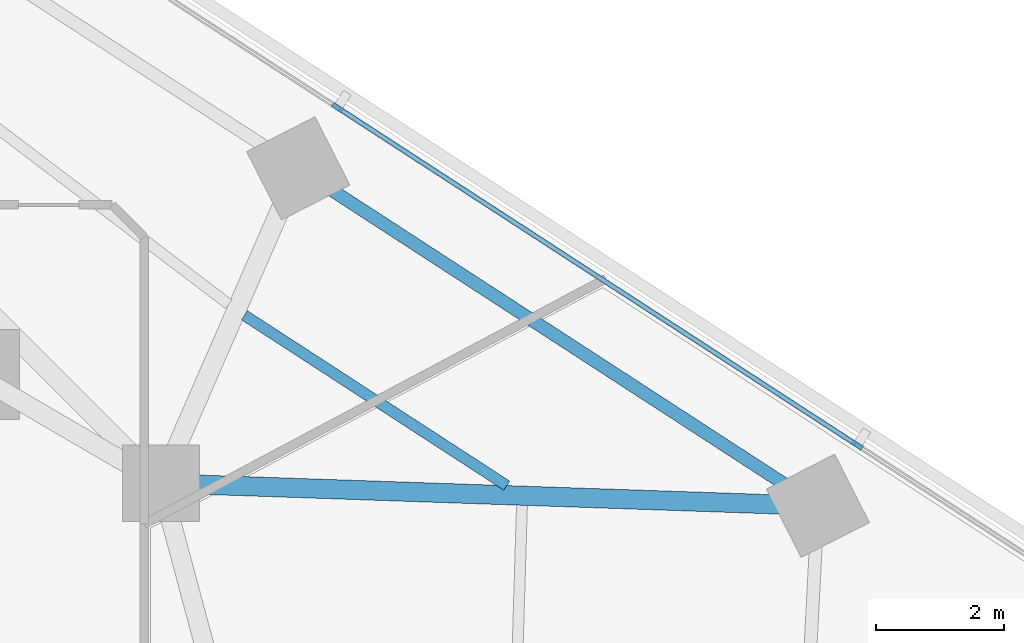
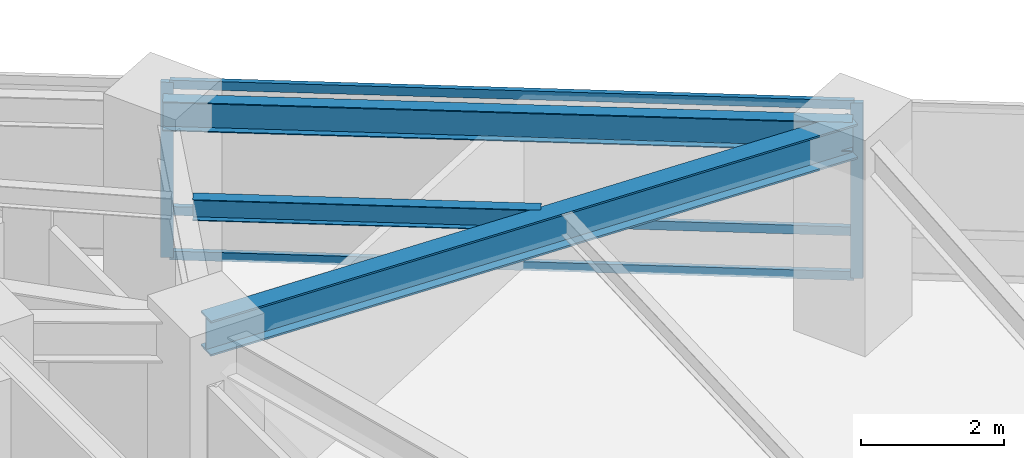
# One storey, part 6 of 14: 5 members, 3 beams, 1 element without a shape of its own.
"""IFC4 building model written with IfcOpenShell, lengths in metres."""

import ifcopenshell
import ifcopenshell.guid

model = None  # the IFC model being written
_history = None  # IfcOwnerHistory: only IFC2X3 demands one
_inside = {}  # id of a spatial element -> (the spatial element, [elements in it])
_under = {}  # id of a project, library or spatial element -> (it, [spatial elements below it])
_declared = {}  # id of a project -> (the project, [libraries it declares])
_typed = {}  # id of a type object -> (the type object, [elements of that type])
_made_of = {}  # id of a material, layer set ... -> (it, [elements and type objects made of it])


def new_model(schema):
    """Start an empty IFC model of exactly this schema.

    Asked for "IFC4X3", IfcOpenShell would pick the latest addendum, in which some entities
    have other attributes; the version numbers below select the first issue.
    IFC2X3 requires an IfcOwnerHistory on every rooted entity: one is made here for all.
    """
    global model, _history
    if schema == "IFC4X3":
        model = ifcopenshell.file(schema_version=(4, 3, 0, 0))
    else:
        model = ifcopenshell.file(schema=schema)
    _inside.clear()
    _under.clear()
    _declared.clear()
    _typed.clear()
    _made_of.clear()
    _history = None
    if model.schema == "IFC2X3":
        org = make("IfcOrganization", Name="unknown")
        user = make(
            "IfcPersonAndOrganization",
            ThePerson=make("IfcPerson", FamilyName="unknown"),
            TheOrganization=org,
        )
        app = make(
            "IfcApplication",
            ApplicationDeveloper=org,
            Version="unknown",
            ApplicationFullName="unknown",
            ApplicationIdentifier="unknown",
        )
        _history = make(
            "IfcOwnerHistory",
            OwningUser=user,
            OwningApplication=app,
            ChangeAction="ADDED",
            CreationDate=0,
        )
    return model


def make(cls, **values):
    """One entity of the class cls with the attributes given. An attribute that is None is left unset."""
    return model.create_entity(
        cls, **{name: value for name, value in values.items() if value is not None}
    )


def rooted(cls, **values):
    """An entity with a GlobalId (a new one), such as an element, a storey or a relation."""
    return make(cls, GlobalId=ifcopenshell.guid.new(), OwnerHistory=_history, **values)


def si_unit(unit_type, name, prefix=None):
    """IfcSIUnit, for example si_unit("LENGTHUNIT", "METRE", prefix="MILLI")."""
    return make("IfcSIUnit", UnitType=unit_type, Prefix=prefix, Name=name)


def assignment(units):
    """IfcUnitAssignment: the units of a project."""
    return None if units is None else make("IfcUnitAssignment", Units=units)


def point(xyz):
    """IfcCartesianPoint."""
    return None if xyz is None else make("IfcCartesianPoint", Coordinates=xyz)


def direction(xyz):
    """IfcDirection."""
    return None if xyz is None else make("IfcDirection", DirectionRatios=xyz)


def frame(location, z_axis=None, x_axis=None):
    """IfcAxis2Placement3D, a coordinate frame: its origin and axes. An axis left out is left unset."""
    return make(
        "IfcAxis2Placement3D",
        Location=point(location),
        Axis=direction(z_axis),
        RefDirection=direction(x_axis),
    )


def frame_2d(location, x_axis=None):
    """IfcAxis2Placement2D, a coordinate frame in the plane: its origin and x axis."""
    return make(
        "IfcAxis2Placement2D", Location=point(location), RefDirection=direction(x_axis)
    )


def origin():
    """The frame at (0, 0, 0) with its axes left unset."""
    return frame((0.0, 0.0, 0.0))


def origin_2d():
    """The frame at (0, 0) in the plane with its x axis left unset."""
    return frame_2d((0.0, 0.0))


def place(relative_to, where):
    """IfcLocalPlacement: puts the frame where relative to a parent placement (None: the world)."""
    return make(
        "IfcLocalPlacement", PlacementRelTo=relative_to, RelativePlacement=where
    )


def context(
    kind, dimensions, precision=None, world=None, true_north=None, identifier=None
):
    """IfcGeometricRepresentationContext, for example the 3D "Model" context."""
    return make(
        "IfcGeometricRepresentationContext",
        ContextIdentifier=identifier,
        ContextType=kind,
        CoordinateSpaceDimension=dimensions,
        Precision=precision,
        WorldCoordinateSystem=world,
        TrueNorth=true_north,
    )


def subcontext(parent, identifier, kind, view, scale=None):
    """IfcGeometricRepresentationSubContext, for example "Body" below "Model"."""
    return make(
        "IfcGeometricRepresentationSubContext",
        ContextIdentifier=identifier,
        ContextType=kind,
        ParentContext=parent,
        TargetScale=scale,
        TargetView=view,
    )


def project(units=None, contexts=None):
    """IfcProject with its units and contexts."""
    return rooted(
        "IfcProject",
        Name="project",
        RepresentationContexts=contexts,
        UnitsInContext=assignment(units),
    )


def spatial(cls, under=None, at=None, **own):
    """A site, building, storey or space (cls), placed at a placement, below another one or the project."""
    s = rooted(cls, ObjectPlacement=at, **own)
    if under is not None:
        _under.setdefault(under.id(), (under, []))[1].append(s)
    return s


def profile(cls, at=None, kind="AREA", **sizes):
    """A parametric profile (cls). Its sizes go by their IFC names, for example OverallWidth=200.0."""
    return make(cls, ProfileType=kind, Position=at, **sizes)


def rectangle(**sizes):
    """IfcRectangleProfileDef."""
    return profile("IfcRectangleProfileDef", **sizes)


def i_section(**sizes):
    """IfcIShapeProfileDef."""
    return profile("IfcIShapeProfileDef", **sizes)


def extrude(swept, where, along, depth):
    """IfcExtrudedAreaSolid: the profile swept, set in the frame where, extruded along a direction by depth."""
    return make(
        "IfcExtrudedAreaSolid",
        SweptArea=swept,
        Position=where,
        ExtrudedDirection=direction(along),
        Depth=depth,
    )


def shape(context_of_items, identifier, shape_type, items):
    """IfcShapeRepresentation: the items that make up one representation, for example the "Body"."""
    return make(
        "IfcShapeRepresentation",
        ContextOfItems=context_of_items,
        RepresentationIdentifier=identifier,
        RepresentationType=shape_type,
        Items=items,
    )


def material(Name=None, Category=None):
    """IfcMaterial."""
    return make("IfcMaterial", Name=Name, Category=Category)


def layer(
    of_material, thickness, ventilated=None, Name=None, Category=None, Priority=None
):
    """IfcMaterialLayer: one layer of a wall or slab, of a material (None: an air gap)."""
    return make(
        "IfcMaterialLayer",
        Material=of_material,
        LayerThickness=thickness,
        IsVentilated=ventilated,
        Name=Name,
        Category=Category,
        Priority=Priority,
    )


def layer_set(layers, Name=None):
    """IfcMaterialLayerSet."""
    return make("IfcMaterialLayerSet", MaterialLayers=layers, LayerSetName=Name)


def material_profile(
    of_material, cross_section, Name=None, Category=None, Priority=None
):
    """IfcMaterialProfile: a cross section and its material."""
    return make(
        "IfcMaterialProfile",
        Name=Name,
        Material=of_material,
        Profile=cross_section,
        Priority=Priority,
        Category=Category,
    )


def profile_set(profiles, Name=None, composite=None):
    """IfcMaterialProfileSet."""
    return make(
        "IfcMaterialProfileSet",
        Name=Name,
        MaterialProfiles=profiles,
        CompositeProfile=composite,
    )


def made_of(thing, what):
    """Note that an element or type object is made of a material, layer set ...; save() writes the relation."""
    if what is not None:
        _made_of.setdefault(what.id(), (what, []))[1].append(thing)
    return thing


def type_object(cls, material=None, **own):
    """A type object (cls), such as IfcWallType, which elements share."""
    return made_of(rooted(cls, **own), material)


def element(
    cls,
    number,
    at=None,
    inside=None,
    cuts=None,
    type_object=None,
    material=None,
    context=None,
    identifier="Body",
    shape_type=None,
    held_by="IfcProductDefinitionShape",
    body=None,
    shapes=None,
    **own,
):
    """One element of the class cls, such as IfcWall. Its Tag is "e" and its number.

    at: its placement. inside: the storey or other place that contains it. cuts: it is an
    opening in that element (IfcRelVoidsElement). A single representation is given by context,
    identifier, shape_type and body (its items); several are given by shapes. held_by: the class
    of the entity that holds the representations. save() writes the other relations.
    """
    e = rooted(cls, Tag="e%d" % number, ObjectPlacement=at, **own)
    if body is not None:
        shapes = [shape(context, identifier, shape_type, body)]
    if shapes is not None:
        e.Representation = make(held_by, Representations=shapes)
    if inside is not None:
        _inside.setdefault(inside.id(), (inside, []))[1].append(e)
    if cuts is not None:
        rooted(
            "IfcRelVoidsElement", RelatingBuildingElement=cuts, RelatedOpeningElement=e
        )
    if type_object is not None:
        _typed.setdefault(type_object.id(), (type_object, []))[1].append(e)
    return made_of(e, material)


def aggregate(whole, parts):
    """IfcRelAggregates: a whole, such as a stair, and the parts it consists of."""
    return rooted("IfcRelAggregates", RelatingObject=whole, RelatedObjects=parts)


def save(model, path):
    """Write the relations noted so far, then the file.

    IfcRelAggregates (storeys below a building ...), IfcRelContainedInSpatialStructure (elements
    in a storey), IfcRelDefinesByType, IfcRelAssociatesMaterial and IfcRelDeclares: one each for
    every whole, place, type object, material and project.
    """
    for whole, parts in _under.values():
        aggregate(whole, parts)
    for where, things in _inside.values():
        rooted(
            "IfcRelContainedInSpatialStructure",
            RelatedElements=things,
            RelatingStructure=where,
        )
    for kind, things in _typed.values():
        rooted("IfcRelDefinesByType", RelatedObjects=things, RelatingType=kind)
    for what, things in _made_of.values():
        rooted("IfcRelAssociatesMaterial", RelatedObjects=things, RelatingMaterial=what)
    for by, libraries in _declared.values():
        rooted("IfcRelDeclares", RelatingContext=by, RelatedDefinitions=libraries)
    model.write(path)


model = new_model("IFC4")

# Units and contexts
model_context = context("Model", 3, precision=1e-05, world=origin(), true_north=direction((0.0, 1.0)))
body_context = subcontext(model_context, "Body", "Model", "MODEL_VIEW")
ifc_project = project(units=[si_unit("LENGTHUNIT", "METRE"), si_unit("AREAUNIT", "SQUARE_METRE"), si_unit("VOLUMEUNIT", "CUBIC_METRE"), si_unit("PLANEANGLEUNIT", "RADIAN"), si_unit("MASSUNIT", "GRAM", prefix="KILO")], contexts=[model_context])

# Site, building, storey
site_placement = place(None, origin())
site = spatial("IfcSite", under=ifc_project, at=site_placement, CompositionType="ELEMENT")
building_placement = place(site_placement, origin())
building = spatial("IfcBuilding", under=site, at=building_placement, Name="Terralouvre Media Tower", CompositionType="ELEMENT")
storey_placement = place(building_placement, frame((0.0, 0.0, 131.0)))
storey = spatial("IfcBuildingStorey", under=building, at=storey_placement, Name="L33", CompositionType="ELEMENT", Elevation=131.0)

# Beam
ifc_material_1 = material(Name="Structural steel S355J2", Category="steel")
ifc_material_profile_1 = material_profile(ifc_material_1, i_section(OverallWidth=0.169921875, OverallDepth=0.360107421875, WebThickness=0.008056640625, FlangeThickness=0.0126953125, at=origin_2d()), Name="IPE 360")
ifc_profile_set_1 = profile_set([ifc_material_profile_1], Name="Structural steel S355J2")
beam_type_1 = type_object("IfcBeamType", Name="Composite Floor Joist J-IPE360 (IPE 360)", PredefinedType="JOIST", material=ifc_profile_set_1)
beam_1_placement = place(storey_placement, frame((16.31494140625, 6.263916015625, 3.320068359375), z_axis=(-0.838663920822, 0.544649270551, 0.0), x_axis=(-0.544649270551, -0.838663920822, 0.0)))
element("IfcBeam", 1, at=beam_1_placement, inside=storey, type_object=beam_type_1, Name="L33 Framing Beam JT-L33-07", PredefinedType="JOIST", context=body_context, shape_type="SweptSolid", body=[
    extrude(i_section(OverallWidth=0.169921875, OverallDepth=0.360107421875, WebThickness=0.008056640625, FlangeThickness=0.0126953125, at=origin_2d()), origin(), (0.0, 0.0, 1.0), 4.885009765625),
])

# Curtain wall, members
ifc_material_2 = material(Name="Low-iron laminated double glazing with solar-control coating", Category="glass")
ifc_layer = layer(ifc_material_2, 0.1650390625, Name="Production Studio Tower Curtain Wall CW-03")
ifc_layer_set = layer_set([ifc_layer], Name="Low-iron laminated double glazing with solar-control coating")
curtain_wall_type = type_object("IfcCurtainWallType", Name="Production Studio Tower Curtain Wall CW-03", PredefinedType="NOTDEFINED", material=ifc_layer_set)
curtain_wall_placement = place(storey_placement, origin())
curtain_wall = element("IfcCurtainWall", 2, at=curtain_wall_placement, inside=storey, type_object=curtain_wall_type, Name="L33 Facade Curtain Wall F1", PredefinedType="NOTDEFINED")
ifc_material_3 = material(Name="Anodised extruded aluminium 6063-T6", Category="aluminium")
ifc_material_profile_2 = material_profile(ifc_material_3, rectangle(XDim=0.074951171875, YDim=0.14990234375, at=origin_2d()), Name="ALU 75x150")
ifc_profile_set_2 = profile_set([ifc_material_profile_2], Name="Anodised extruded aluminium 6063-T6")
member_type_1 = type_object("IfcMemberType", Name="Curtain-Wall Horizontal Transom TR-150", PredefinedType="USERDEFINED", material=ifc_profile_set_2)
member_1_placement = place(storey_placement, frame((21.760009765625, 6.916259765625, 0.03759765625), z_axis=(-0.838661320759, 0.544653274169, 0.0), x_axis=(-0.544653274169, -0.838661320759, 0.0)))
member_1 = element("IfcMember", 3, at=member_1_placement, type_object=member_type_1, Name="CW-03 transom 2.1", ObjectType="TRANSOM", PredefinedType="USERDEFINED", context=body_context, shape_type="SweptSolid", body=[
    extrude(rectangle(XDim=0.074951171875, YDim=0.14990234375, at=origin_2d()), origin(), (0.0, 0.0, 1.0), 9.60498046875),
])
member_2_placement = place(storey_placement, frame((21.760009765625, 6.916259765625, 0.800048828125), z_axis=(-0.838661320759, 0.544653274169, 0.0), x_axis=(-0.544653274169, -0.838661320759, 0.0)))
member_2 = element("IfcMember", 4, at=member_2_placement, type_object=member_type_1, Name="CW-03 transom 2.2", ObjectType="TRANSOM", PredefinedType="USERDEFINED", context=body_context, shape_type="SweptSolid", body=[
    extrude(rectangle(XDim=0.074951171875, YDim=0.14990234375, at=origin_2d()), origin(), (0.0, 0.0, 1.0), 9.60498046875),
])
member_3_placement = place(storey_placement, frame((21.760009765625, 6.916259765625, 2.96240234375), z_axis=(-0.838661320759, 0.544653274169, 0.0), x_axis=(-0.544653274169, -0.838661320759, 0.0)))
member_3 = element("IfcMember", 5, at=member_3_placement, type_object=member_type_1, Name="CW-03 transom 2.3", ObjectType="TRANSOM", PredefinedType="USERDEFINED", context=body_context, shape_type="SweptSolid", body=[
    extrude(rectangle(XDim=0.074951171875, YDim=0.14990234375, at=origin_2d()), origin(), (0.0, 0.0, 1.0), 9.60498046875),
])
ifc_material_4 = material(Name="Anodised extruded aluminium 6063-T6", Category="aluminium")
ifc_material_profile_3 = material_profile(ifc_material_4, rectangle(XDim=0.074951171875, YDim=0.179931640625, at=origin_2d()), Name="ALU 75x180")
ifc_profile_set_3 = profile_set([ifc_material_profile_3], Name="Anodised extruded aluminium 6063-T6")
member_type_2 = type_object("IfcMemberType", Name="Curtain-Wall Vertical Mullion ML-180", PredefinedType="MULLION", material=ifc_profile_set_3)
member_4_placement = place(storey_placement, frame((21.79150390625, 6.89599609375, 0.0), z_axis=(0.0, 0.0, 1.0), x_axis=(-0.544639002681, -0.838670588944, 0.0)))
member_4 = element("IfcMember", 6, at=member_4_placement, type_object=member_type_2, Name="CW-03 mullion 2", PredefinedType="MULLION", context=body_context, shape_type="SweptSolid", body=[
    extrude(rectangle(XDim=0.074951171875, YDim=0.179931640625, at=origin_2d()), origin(), (0.0, 0.0, 1.0), 3.0),
])
member_5_placement = place(storey_placement, frame((13.673095703125, 12.16796875, 0.0), z_axis=(0.0, 0.0, 1.0), x_axis=(-0.544639002681, -0.838670588944, 0.0)))
member_5 = element("IfcMember", 7, at=member_5_placement, type_object=member_type_2, Name="CW-03 mullion 3", PredefinedType="MULLION", context=body_context, shape_type="SweptSolid", body=[
    extrude(rectangle(XDim=0.074951171875, YDim=0.179931640625, at=origin_2d()), origin(), (0.0, 0.0, 1.0), 3.0),
])
aggregate(curtain_wall, [member_4, member_5, member_1, member_2, member_3])

# Beams
ifc_material_5 = material(Name="Structural steel S355J2", Category="steel")
ifc_material_profile_4 = material_profile(ifc_material_5, i_section(OverallWidth=0.199951171875, OverallDepth=0.5, WebThickness=0.01025390625, FlangeThickness=0.01611328125, at=origin_2d()), Name="IPE 500")
ifc_profile_set_4 = profile_set([ifc_material_profile_4], Name="Structural steel S355J2")
beam_type_2 = type_object("IfcBeamType", Name="Perimeter Spandrel Beam SPB-500 (IPE 500)", PredefinedType="SPANDREL", material=ifc_profile_set_4)
beam_2_placement = place(storey_placement, frame((21.176025390625, 5.9482421875, 3.25), z_axis=(-0.838667695914, 0.54464345753, 0.0), x_axis=(-0.54464345753, -0.838667695914, 0.0)))
element("IfcBeam", 8, at=beam_2_placement, inside=storey, type_object=beam_type_2, Name="L33 Framing Beam BM-L33-PR07", PredefinedType="SPANDREL", context=body_context, shape_type="SweptSolid", body=[
    extrude(i_section(OverallWidth=0.199951171875, OverallDepth=0.5, WebThickness=0.01025390625, FlangeThickness=0.01611328125, at=origin_2d()), origin(), (0.0, 0.0, 1.0), 9.68017578125),
])
ifc_material_6 = material(Name="Structural steel S460M", Category="steel")
ifc_material_profile_5 = material_profile(ifc_material_6, i_section(OverallWidth=0.300048828125, OverallDepth=0.60009765625, WebThickness=0.015380859375, FlangeThickness=0.030029296875, at=origin_2d()), Name="HEB 600")
ifc_profile_set_5 = profile_set([ifc_material_profile_5], Name="Structural steel S460M")
beam_type_3 = type_object("IfcBeamType", Name="Primary Floor Girder B-HEB600 (HEB 600)", PredefinedType="BEAM", material=ifc_profile_set_5)
beam_3_placement = place(storey_placement, frame((10.911865234375, 6.300048828125, 3.199951171875), z_axis=(0.999413120714, -0.034255133128, 0.0), x_axis=(0.034255133128, 0.999413120714, 0.0)))
element("IfcBeam", 9, at=beam_3_placement, inside=storey, type_object=beam_type_3, Name="L33 Framing Beam BM-L33-RD07", PredefinedType="BEAM", context=body_context, shape_type="SweptSolid", body=[
    extrude(i_section(OverallWidth=0.300048828125, OverallDepth=0.60009765625, WebThickness=0.015380859375, FlangeThickness=0.030029296875, at=origin_2d()), origin(), (0.0, 0.0, 1.0), 10.270263671875),
])

save(model, "model.ifc")
